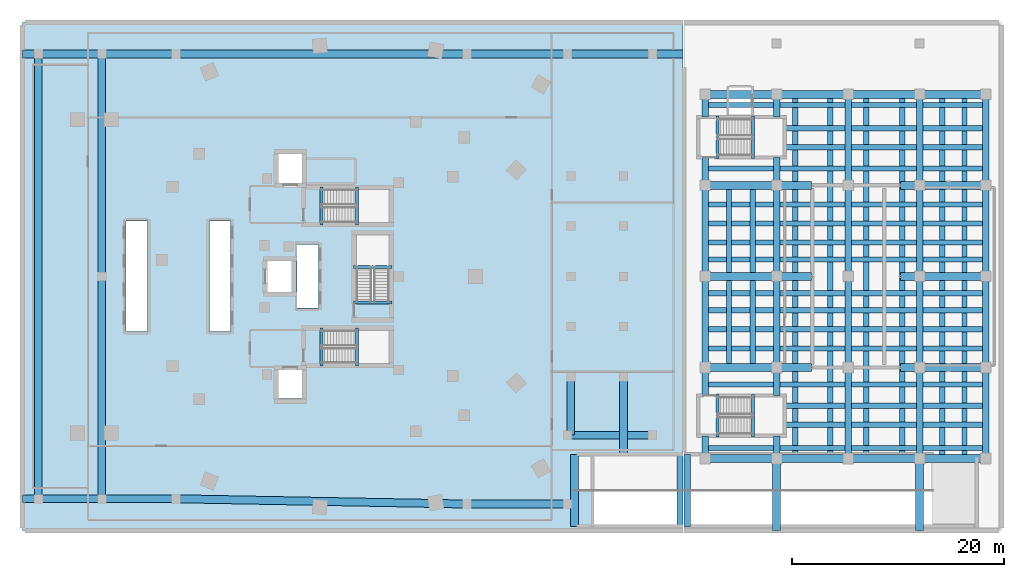
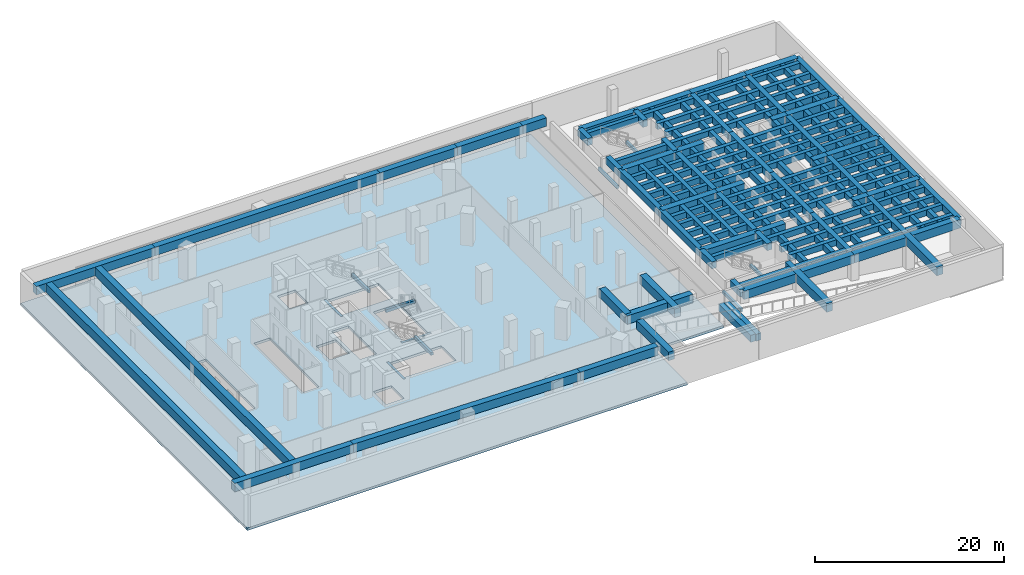
# One storey, part 5 of 13: 96 beams, 1 slab.
"""IFC4 building model written with IfcOpenShell, lengths in metres."""

import ifcopenshell
import ifcopenshell.guid

model = None  # the IFC model being written
_history = None  # IfcOwnerHistory: only IFC2X3 demands one
_inside = {}  # id of a spatial element -> (the spatial element, [elements in it])
_under = {}  # id of a project, library or spatial element -> (it, [spatial elements below it])
_declared = {}  # id of a project -> (the project, [libraries it declares])
_typed = {}  # id of a type object -> (the type object, [elements of that type])
_made_of = {}  # id of a material, layer set ... -> (it, [elements and type objects made of it])


def new_model(schema):
    """Start an empty IFC model of exactly this schema.

    Asked for "IFC4X3", IfcOpenShell would pick the latest addendum, in which some entities
    have other attributes; the version numbers below select the first issue.
    IFC2X3 requires an IfcOwnerHistory on every rooted entity: one is made here for all.
    """
    global model, _history
    if schema == "IFC4X3":
        model = ifcopenshell.file(schema_version=(4, 3, 0, 0))
    else:
        model = ifcopenshell.file(schema=schema)
    _inside.clear()
    _under.clear()
    _declared.clear()
    _typed.clear()
    _made_of.clear()
    _history = None
    if model.schema == "IFC2X3":
        org = make("IfcOrganization", Name="unknown")
        user = make(
            "IfcPersonAndOrganization",
            ThePerson=make("IfcPerson", FamilyName="unknown"),
            TheOrganization=org,
        )
        app = make(
            "IfcApplication",
            ApplicationDeveloper=org,
            Version="unknown",
            ApplicationFullName="unknown",
            ApplicationIdentifier="unknown",
        )
        _history = make(
            "IfcOwnerHistory",
            OwningUser=user,
            OwningApplication=app,
            ChangeAction="ADDED",
            CreationDate=0,
        )
    return model


def make(cls, **values):
    """One entity of the class cls with the attributes given. An attribute that is None is left unset."""
    return model.create_entity(
        cls, **{name: value for name, value in values.items() if value is not None}
    )


def rooted(cls, **values):
    """An entity with a GlobalId (a new one), such as an element, a storey or a relation."""
    return make(cls, GlobalId=ifcopenshell.guid.new(), OwnerHistory=_history, **values)


def si_unit(unit_type, name, prefix=None):
    """IfcSIUnit, for example si_unit("LENGTHUNIT", "METRE", prefix="MILLI")."""
    return make("IfcSIUnit", UnitType=unit_type, Prefix=prefix, Name=name)


def assignment(units):
    """IfcUnitAssignment: the units of a project."""
    return None if units is None else make("IfcUnitAssignment", Units=units)


def point(xyz):
    """IfcCartesianPoint."""
    return None if xyz is None else make("IfcCartesianPoint", Coordinates=xyz)


def direction(xyz):
    """IfcDirection."""
    return None if xyz is None else make("IfcDirection", DirectionRatios=xyz)


def frame(location, z_axis=None, x_axis=None):
    """IfcAxis2Placement3D, a coordinate frame: its origin and axes. An axis left out is left unset."""
    return make(
        "IfcAxis2Placement3D",
        Location=point(location),
        Axis=direction(z_axis),
        RefDirection=direction(x_axis),
    )


def frame_2d(location, x_axis=None):
    """IfcAxis2Placement2D, a coordinate frame in the plane: its origin and x axis."""
    return make(
        "IfcAxis2Placement2D", Location=point(location), RefDirection=direction(x_axis)
    )


def origin():
    """The frame at (0, 0, 0) with its axes left unset."""
    return frame((0.0, 0.0, 0.0))


def origin_2d():
    """The frame at (0, 0) in the plane with its x axis left unset."""
    return frame_2d((0.0, 0.0))


def place(relative_to, where):
    """IfcLocalPlacement: puts the frame where relative to a parent placement (None: the world)."""
    return make(
        "IfcLocalPlacement", PlacementRelTo=relative_to, RelativePlacement=where
    )


def context(
    kind, dimensions, precision=None, world=None, true_north=None, identifier=None
):
    """IfcGeometricRepresentationContext, for example the 3D "Model" context."""
    return make(
        "IfcGeometricRepresentationContext",
        ContextIdentifier=identifier,
        ContextType=kind,
        CoordinateSpaceDimension=dimensions,
        Precision=precision,
        WorldCoordinateSystem=world,
        TrueNorth=true_north,
    )


def subcontext(parent, identifier, kind, view, scale=None):
    """IfcGeometricRepresentationSubContext, for example "Body" below "Model"."""
    return make(
        "IfcGeometricRepresentationSubContext",
        ContextIdentifier=identifier,
        ContextType=kind,
        ParentContext=parent,
        TargetScale=scale,
        TargetView=view,
    )


def project(units=None, contexts=None):
    """IfcProject with its units and contexts."""
    return rooted(
        "IfcProject",
        Name="project",
        RepresentationContexts=contexts,
        UnitsInContext=assignment(units),
    )


def spatial(cls, under=None, at=None, **own):
    """A site, building, storey or space (cls), placed at a placement, below another one or the project."""
    s = rooted(cls, ObjectPlacement=at, **own)
    if under is not None:
        _under.setdefault(under.id(), (under, []))[1].append(s)
    return s


def polyline(points):
    """IfcPolyline through the points."""
    return make("IfcPolyline", Points=[point(p) for p in points])


def profile(cls, at=None, kind="AREA", **sizes):
    """A parametric profile (cls). Its sizes go by their IFC names, for example OverallWidth=200.0."""
    return make(cls, ProfileType=kind, Position=at, **sizes)


def rectangle(**sizes):
    """IfcRectangleProfileDef."""
    return profile("IfcRectangleProfileDef", **sizes)


def outline(outer, holes=None, kind="AREA"):
    """IfcArbitraryClosedProfileDef: a profile drawn as a closed curve; with holes, ...WithVoids."""
    if holes is None:
        return make("IfcArbitraryClosedProfileDef", ProfileType=kind, OuterCurve=outer)
    return make(
        "IfcArbitraryProfileDefWithVoids",
        ProfileType=kind,
        OuterCurve=outer,
        InnerCurves=holes,
    )


def extrude(swept, where, along, depth):
    """IfcExtrudedAreaSolid: the profile swept, set in the frame where, extruded along a direction by depth."""
    return make(
        "IfcExtrudedAreaSolid",
        SweptArea=swept,
        Position=where,
        ExtrudedDirection=direction(along),
        Depth=depth,
    )


def shape(context_of_items, identifier, shape_type, items):
    """IfcShapeRepresentation: the items that make up one representation, for example the "Body"."""
    return make(
        "IfcShapeRepresentation",
        ContextOfItems=context_of_items,
        RepresentationIdentifier=identifier,
        RepresentationType=shape_type,
        Items=items,
    )


def material(Name=None, Category=None):
    """IfcMaterial."""
    return make("IfcMaterial", Name=Name, Category=Category)


def layer(
    of_material, thickness, ventilated=None, Name=None, Category=None, Priority=None
):
    """IfcMaterialLayer: one layer of a wall or slab, of a material (None: an air gap)."""
    return make(
        "IfcMaterialLayer",
        Material=of_material,
        LayerThickness=thickness,
        IsVentilated=ventilated,
        Name=Name,
        Category=Category,
        Priority=Priority,
    )


def layer_set(layers, Name=None):
    """IfcMaterialLayerSet."""
    return make("IfcMaterialLayerSet", MaterialLayers=layers, LayerSetName=Name)


def material_profile(
    of_material, cross_section, Name=None, Category=None, Priority=None
):
    """IfcMaterialProfile: a cross section and its material."""
    return make(
        "IfcMaterialProfile",
        Name=Name,
        Material=of_material,
        Profile=cross_section,
        Priority=Priority,
        Category=Category,
    )


def profile_set(profiles, Name=None, composite=None):
    """IfcMaterialProfileSet."""
    return make(
        "IfcMaterialProfileSet",
        Name=Name,
        MaterialProfiles=profiles,
        CompositeProfile=composite,
    )


def made_of(thing, what):
    """Note that an element or type object is made of a material, layer set ...; save() writes the relation."""
    if what is not None:
        _made_of.setdefault(what.id(), (what, []))[1].append(thing)
    return thing


def type_object(cls, material=None, **own):
    """A type object (cls), such as IfcWallType, which elements share."""
    return made_of(rooted(cls, **own), material)


def element(
    cls,
    number,
    at=None,
    inside=None,
    cuts=None,
    type_object=None,
    material=None,
    context=None,
    identifier="Body",
    shape_type=None,
    held_by="IfcProductDefinitionShape",
    body=None,
    shapes=None,
    **own,
):
    """One element of the class cls, such as IfcWall. Its Tag is "e" and its number.

    at: its placement. inside: the storey or other place that contains it. cuts: it is an
    opening in that element (IfcRelVoidsElement). A single representation is given by context,
    identifier, shape_type and body (its items); several are given by shapes. held_by: the class
    of the entity that holds the representations. save() writes the other relations.
    """
    e = rooted(cls, Tag="e%d" % number, ObjectPlacement=at, **own)
    if body is not None:
        shapes = [shape(context, identifier, shape_type, body)]
    if shapes is not None:
        e.Representation = make(held_by, Representations=shapes)
    if inside is not None:
        _inside.setdefault(inside.id(), (inside, []))[1].append(e)
    if cuts is not None:
        rooted(
            "IfcRelVoidsElement", RelatingBuildingElement=cuts, RelatedOpeningElement=e
        )
    if type_object is not None:
        _typed.setdefault(type_object.id(), (type_object, []))[1].append(e)
    return made_of(e, material)


def aggregate(whole, parts):
    """IfcRelAggregates: a whole, such as a stair, and the parts it consists of."""
    return rooted("IfcRelAggregates", RelatingObject=whole, RelatedObjects=parts)


def save(model, path):
    """Write the relations noted so far, then the file.

    IfcRelAggregates (storeys below a building ...), IfcRelContainedInSpatialStructure (elements
    in a storey), IfcRelDefinesByType, IfcRelAssociatesMaterial and IfcRelDeclares: one each for
    every whole, place, type object, material and project.
    """
    for whole, parts in _under.values():
        aggregate(whole, parts)
    for where, things in _inside.values():
        rooted(
            "IfcRelContainedInSpatialStructure",
            RelatedElements=things,
            RelatingStructure=where,
        )
    for kind, things in _typed.values():
        rooted("IfcRelDefinesByType", RelatedObjects=things, RelatingType=kind)
    for what, things in _made_of.values():
        rooted("IfcRelAssociatesMaterial", RelatedObjects=things, RelatingMaterial=what)
    for by, libraries in _declared.values():
        rooted("IfcRelDeclares", RelatingContext=by, RelatedDefinitions=libraries)
    model.write(path)


model = new_model("IFC4")

# Units and contexts
model_context = context("Model", 3, precision=1e-05, world=origin(), true_north=direction((0.0, 1.0)))
body_context = subcontext(model_context, "Body", "Model", "MODEL_VIEW")
ifc_project = project(units=[si_unit("LENGTHUNIT", "METRE"), si_unit("AREAUNIT", "SQUARE_METRE"), si_unit("VOLUMEUNIT", "CUBIC_METRE"), si_unit("PLANEANGLEUNIT", "RADIAN"), si_unit("MASSUNIT", "GRAM", prefix="KILO")], contexts=[model_context])

# Site, building, storey
site_placement = place(None, origin())
site = spatial("IfcSite", under=ifc_project, at=site_placement, CompositionType="ELEMENT")
building_placement = place(site_placement, origin())
building = spatial("IfcBuilding", under=site, at=building_placement, Name="Korentha Bioscience Tower", CompositionType="ELEMENT")
storey_placement = place(building_placement, frame((0.0, 0.0, -4.5)))
storey = spatial("IfcBuildingStorey", under=building, at=storey_placement, Name="B1", CompositionType="ELEMENT", Elevation=-4.5)

# Beams
ifc_material_1 = material(Name="Concrete C65", Category="concrete")
ifc_material_profile_1 = material_profile(ifc_material_1, rectangle(XDim=0.75, YDim=1.10009765625, at=origin_2d()), Name="Concrete C65")
ifc_profile_set_1 = profile_set([ifc_material_profile_1], Name="Concrete C65 (BB-750)")
beam_type_1 = type_object("IfcBeamType", Name="Basement Frame Girder RC 750x1100", PredefinedType="BEAM", material=ifc_profile_set_1)
beam_1_placement = place(storey_placement, frame((54.14990234375, 3.39990234375, 3.820068359375), z_axis=(0.0, 1.0, 0.0), x_axis=(-1.0, 0.0, 0.0)))
element("IfcBeam", 1, at=beam_1_placement, inside=storey, type_object=beam_type_1, Name="B1 Ramp Top Arrival Support Girder", PredefinedType="BEAM", context=body_context, shape_type="SweptSolid", body=[
    extrude(rectangle(XDim=0.75, YDim=1.10009765625, at=origin_2d()), origin(), (0.0, 0.0, 1.0), 6.800048828125),
])
beam_2_placement = place(storey_placement, frame((2.0, 6.0, 3.632080078125), z_axis=(1.0, 0.0, 0.0), x_axis=(0.0, 1.0, 0.0)))
element("IfcBeam", 2, at=beam_2_placement, inside=storey, type_object=beam_type_1, Name="B1 Basement Girder BB-01", PredefinedType="BEAM", context=body_context, shape_type="SweptSolid", body=[
    extrude(rectangle(XDim=0.75, YDim=1.10009765625, at=origin_2d()), origin(), (0.0, 0.0, 1.0), 14.5),
])
beam_3_placement = place(storey_placement, frame((16.5, 6.0, 3.632080078125), z_axis=(0.999834751713, -0.018178813668, 0.0), x_axis=(0.018178813668, 0.999834751713, 0.0)))
element("IfcBeam", 3, at=beam_3_placement, inside=storey, type_object=beam_type_1, Name="B1 Basement Girder BB-02", PredefinedType="BEAM", context=body_context, shape_type="SweptSolid", body=[
    extrude(rectangle(XDim=0.75, YDim=1.10009765625, at=origin_2d()), origin(), (0.0, 0.0, 1.0), 27.504638671875),
])
beam_4_placement = place(storey_placement, frame((44.0, 5.5, 3.632080078125), z_axis=(1.0, 0.0, 0.0), x_axis=(0.0, 1.0, 0.0)))
element("IfcBeam", 4, at=beam_4_placement, inside=storey, type_object=beam_type_1, Name="B1 Basement Girder BB-03", PredefinedType="BEAM", context=body_context, shape_type="SweptSolid", body=[
    extrude(rectangle(XDim=0.75, YDim=1.10009765625, at=origin_2d()), origin(), (0.0, 0.0, 1.0), 9.5),
])
beam_5_placement = place(storey_placement, frame((2.0, 48.0, 3.632080078125), z_axis=(1.0, 0.0, 0.0), x_axis=(0.0, 1.0, 0.0)))
element("IfcBeam", 5, at=beam_5_placement, inside=storey, type_object=beam_type_1, Name="B1 Basement Girder BB-04", PredefinedType="BEAM", context=body_context, shape_type="SweptSolid", body=[
    extrude(rectangle(XDim=0.75, YDim=1.10009765625, at=origin_2d()), origin(), (0.0, 0.0, 1.0), 14.5),
])
beam_6_placement = place(storey_placement, frame((16.5, 48.0, 3.632080078125), z_axis=(1.0, 0.0, 0.0), x_axis=(0.0, 1.0, 0.0)))
element("IfcBeam", 6, at=beam_6_placement, inside=storey, type_object=beam_type_1, Name="B1 Basement Girder BB-05", PredefinedType="BEAM", context=body_context, shape_type="SweptSolid", body=[
    extrude(rectangle(XDim=0.75, YDim=1.10009765625, at=origin_2d()), origin(), (0.0, 0.0, 1.0), 27.5),
])
beam_7_placement = place(storey_placement, frame((44.0, 48.0, 3.632080078125), z_axis=(1.0, 0.0, 0.0), x_axis=(0.0, 1.0, 0.0)))
element("IfcBeam", 7, at=beam_7_placement, inside=storey, type_object=beam_type_1, Name="B1 Basement Girder BB-06", PredefinedType="BEAM", context=body_context, shape_type="SweptSolid", body=[
    extrude(rectangle(XDim=0.75, YDim=1.10009765625, at=origin_2d()), origin(), (0.0, 0.0, 1.0), 9.5),
])
beam_8_placement = place(storey_placement, frame((53.5, 48.0, 3.632080078125), z_axis=(1.0, 0.0, 0.0), x_axis=(0.0, 1.0, 0.0)))
element("IfcBeam", 8, at=beam_8_placement, inside=storey, type_object=beam_type_1, Name="B1 Basement Girder BB-07", PredefinedType="BEAM", context=body_context, shape_type="SweptSolid", body=[
    extrude(rectangle(XDim=0.75, YDim=1.10009765625, at=origin_2d()), origin(), (0.0, 0.0, 1.0), 8.0),
])
beam_9_placement = place(storey_placement, frame((61.5, 48.0, 3.632080078125), z_axis=(1.0, 0.0, 0.0), x_axis=(0.0, 1.0, 0.0)))
element("IfcBeam", 9, at=beam_9_placement, inside=storey, type_object=beam_type_1, Name="B1 Basement Girder BB-08", PredefinedType="BEAM", context=body_context, shape_type="SweptSolid", body=[
    extrude(rectangle(XDim=0.75, YDim=1.10009765625, at=origin_2d()), origin(), (0.0, 0.0, 1.0), 2.89990234375),
])
for number, where, z_axis, x_axis, name in (
    (10, (3.5, 6.0, 3.632080078125), (0.0, 1.0, 0.0), (-1.0, 0.0, 0.0), "B1 Basement Girder BB-09"),
    (11, (9.5, 6.0, 3.632080078125), (0.0, 1.0, 0.0), (-1.0, 0.0, 0.0), "B1 Basement Girder BB-10"),
):
    element("IfcBeam", number, at=place(storey_placement, frame(where, z_axis=z_axis, x_axis=x_axis)), inside=storey, type_object=beam_type_1, Name=name, PredefinedType="BEAM", context=body_context, shape_type="SweptSolid", body=[
        extrude(rectangle(XDim=0.75, YDim=1.10009765625, at=origin_2d()), origin(), (0.0, 0.0, 1.0), 42.0),
    ])
beam_10_placement = place(storey_placement, frame((53.5, 12.0, 3.632080078125), z_axis=(1.0, 0.0, 0.0), x_axis=(0.0, 1.0, 0.0)))
element("IfcBeam", 12, at=beam_10_placement, inside=storey, type_object=beam_type_1, Name="B1 Basement Girder BB-11", PredefinedType="BEAM", context=body_context, shape_type="SweptSolid", body=[
    extrude(rectangle(XDim=0.75, YDim=1.10009765625, at=origin_2d()), origin(), (0.0, 0.0, 1.0), 8.0),
])
beam_11_placement = place(storey_placement, frame((53.800048828125, 12.0, 3.632080078125), z_axis=(0.0, 1.0, 0.0), x_axis=(-1.0, 0.0, 0.0)))
element("IfcBeam", 13, at=beam_11_placement, inside=storey, type_object=beam_type_1, Name="B1 Basement Girder BB-12", PredefinedType="BEAM", context=body_context, shape_type="SweptSolid", body=[
    extrude(rectangle(XDim=0.75, YDim=1.10009765625, at=origin_2d()), origin(), (0.0, 0.0, 1.0), 5.5),
])
beam_12_placement = place(storey_placement, frame((58.800048828125, 10.199951171875, 3.632080078125), z_axis=(0.0, 1.0, 0.0), x_axis=(-1.0, 0.0, 0.0)))
element("IfcBeam", 14, at=beam_12_placement, inside=storey, type_object=beam_type_1, Name="B1 Basement Girder BB-13", PredefinedType="BEAM", context=body_context, shape_type="SweptSolid", body=[
    extrude(rectangle(XDim=0.75, YDim=1.10009765625, at=origin_2d()), origin(), (0.0, 0.0, 1.0), 7.300048828125),
])
for number, where, z_axis, x_axis, name in (
    (15, (73.25, 3.0, 3.632080078125), (0.0, 1.0, 0.0), (-1.0, 0.0, 0.0), "B1 Basement Girder BB-14"),
    (16, (86.75, 3.0, 3.632080078125), (0.0, 1.0, 0.0), (-1.0, 0.0, 0.0), "B1 Basement Girder BB-15"),
):
    element("IfcBeam", number, at=place(storey_placement, frame(where, z_axis=z_axis, x_axis=x_axis)), inside=storey, type_object=beam_type_1, Name=name, PredefinedType="BEAM", context=body_context, shape_type="SweptSolid", body=[
        extrude(rectangle(XDim=0.75, YDim=1.10009765625, at=origin_2d()), origin(), (0.0, 0.0, 1.0), 7.199951171875),
    ])
for number, where, z_axis, x_axis, name in (
    (17, (66.5, 9.800048828125, 3.6298828125), (1.0, 0.0, 0.0), (0.0, 1.0, 0.0), "B1 Theatre Basement Girder X-1-1"),
    (18, (66.5, 18.39990234375, 3.6298828125), (1.0, 0.0, 0.0), (0.0, 1.0, 0.0), "B1 Theatre Basement Girder X-1-2"),
    (19, (66.5, 27.0, 3.6298828125), (1.0, 0.0, 0.0), (0.0, 1.0, 0.0), "B1 Theatre Basement Girder X-1-3"),
    (20, (66.5, 35.60009765625, 3.6298828125), (1.0, 0.0, 0.0), (0.0, 1.0, 0.0), "B1 Theatre Basement Girder X-1-4"),
    (21, (66.5, 44.199951171875, 3.6298828125), (1.0, 0.0, 0.0), (0.0, 1.0, 0.0), "B1 Theatre Basement Girder X-1-5"),
    (22, (73.25, 9.800048828125, 3.6298828125), (1.0, 0.0, 0.0), (0.0, 1.0, 0.0), "B1 Theatre Basement Girder X-2-1"),
):
    element("IfcBeam", number, at=place(storey_placement, frame(where, z_axis=z_axis, x_axis=x_axis)), inside=storey, type_object=beam_type_1, Name=name, PredefinedType="BEAM", context=body_context, shape_type="SweptSolid", body=[
        extrude(rectangle(XDim=0.75, YDim=1.10009765625, at=origin_2d()), origin(), (0.0, 0.0, 1.0), 6.75),
    ])
for number, where, z_axis, x_axis, name in (
    (23, (73.25, 18.39990234375, 3.6298828125), (1.0, 0.0, 0.0), (0.0, 1.0, 0.0), "B1 Theatre Basement Girder X-2-2"),
    (24, (73.25, 27.0, 3.6298828125), (1.0, 0.0, 0.0), (0.0, 1.0, 0.0), "B1 Theatre Basement Girder X-2-3"),
    (25, (73.25, 35.60009765625, 3.6298828125), (1.0, 0.0, 0.0), (0.0, 1.0, 0.0), "B1 Theatre Basement Girder X-2-4"),
):
    element("IfcBeam", number, at=place(storey_placement, frame(where, z_axis=z_axis, x_axis=x_axis)), inside=storey, type_object=beam_type_1, Name=name, PredefinedType="BEAM", context=body_context, shape_type="SweptSolid", body=[
        extrude(rectangle(XDim=0.75, YDim=1.10009765625, at=origin_2d()), origin(), (0.0, 0.0, 1.0), 3.300048828125),
    ])
for number, where, z_axis, x_axis, name in (
    (26, (73.25, 44.199951171875, 3.6298828125), (1.0, 0.0, 0.0), (0.0, 1.0, 0.0), "B1 Theatre Basement Girder X-2-5"),
    (27, (80.0, 9.800048828125, 3.6298828125), (1.0, 0.0, 0.0), (0.0, 1.0, 0.0), "B1 Theatre Basement Girder X-3-1"),
):
    element("IfcBeam", number, at=place(storey_placement, frame(where, z_axis=z_axis, x_axis=x_axis)), inside=storey, type_object=beam_type_1, Name=name, PredefinedType="BEAM", context=body_context, shape_type="SweptSolid", body=[
        extrude(rectangle(XDim=0.75, YDim=1.10009765625, at=origin_2d()), origin(), (0.0, 0.0, 1.0), 6.75),
    ])
for number, where, z_axis, x_axis, name in (
    (28, (84.949951171875, 18.39990234375, 3.6298828125), (1.0, 0.0, 0.0), (0.0, 1.0, 0.0), "B1 Theatre Basement Girder X-3-2"),
    (29, (84.949951171875, 27.0, 3.6298828125), (1.0, 0.0, 0.0), (0.0, 1.0, 0.0), "B1 Theatre Basement Girder X-3-3"),
    (30, (84.949951171875, 35.60009765625, 3.6298828125), (1.0, 0.0, 0.0), (0.0, 1.0, 0.0), "B1 Theatre Basement Girder X-3-4"),
):
    element("IfcBeam", number, at=place(storey_placement, frame(where, z_axis=z_axis, x_axis=x_axis)), inside=storey, type_object=beam_type_1, Name=name, PredefinedType="BEAM", context=body_context, shape_type="SweptSolid", body=[
        extrude(rectangle(XDim=0.75, YDim=1.10009765625, at=origin_2d()), origin(), (0.0, 0.0, 1.0), 1.800048828125),
    ])
beam_13_placement = place(storey_placement, frame((80.0, 44.199951171875, 3.6298828125), z_axis=(1.0, 0.0, 0.0), x_axis=(0.0, 1.0, 0.0)))
element("IfcBeam", 31, at=beam_13_placement, inside=storey, type_object=beam_type_1, Name="B1 Theatre Basement Girder X-3-5", PredefinedType="BEAM", context=body_context, shape_type="SweptSolid", body=[
    extrude(rectangle(XDim=0.75, YDim=1.10009765625, at=origin_2d()), origin(), (0.0, 0.0, 1.0), 6.75),
])
for number, where, z_axis, x_axis, name in (
    (32, (86.75, 9.800048828125, 3.6298828125), (1.0, 0.0, 0.0), (0.0, 1.0, 0.0), "B1 Theatre Basement Girder X-4-1"),
    (33, (86.75, 18.39990234375, 3.6298828125), (1.0, 0.0, 0.0), (0.0, 1.0, 0.0), "B1 Theatre Basement Girder X-4-2"),
    (34, (86.75, 27.0, 3.6298828125), (1.0, 0.0, 0.0), (0.0, 1.0, 0.0), "B1 Theatre Basement Girder X-4-3"),
    (35, (86.75, 35.60009765625, 3.6298828125), (1.0, 0.0, 0.0), (0.0, 1.0, 0.0), "B1 Theatre Basement Girder X-4-4"),
    (36, (86.75, 44.199951171875, 3.6298828125), (1.0, 0.0, 0.0), (0.0, 1.0, 0.0), "B1 Theatre Basement Girder X-4-5"),
):
    element("IfcBeam", number, at=place(storey_placement, frame(where, z_axis=z_axis, x_axis=x_axis)), inside=storey, type_object=beam_type_1, Name=name, PredefinedType="BEAM", context=body_context, shape_type="SweptSolid", body=[
        extrude(rectangle(XDim=0.75, YDim=1.10009765625, at=origin_2d()), origin(), (0.0, 0.0, 1.0), 6.25),
    ])
ifc_material_2 = material(Name="Concrete C50", Category="concrete")
ifc_material_profile_2 = material_profile(ifc_material_2, rectangle(XDim=0.5, YDim=0.75, at=origin_2d()), Name="Concrete C50")
ifc_profile_set_2 = profile_set([ifc_material_profile_2], Name="Concrete C50 (BB-500)")
beam_type_2 = type_object("IfcBeamType", Name="Basement Secondary Rib RC 500x750", PredefinedType="BEAM", material=ifc_profile_set_2)
beam_14_placement = place(storey_placement, frame((66.5, 10.800048828125, 3.804931640625), z_axis=(1.0, 0.0, 0.0), x_axis=(0.0, 1.0, 0.0)))
element("IfcBeam", 37, at=beam_14_placement, inside=storey, type_object=beam_type_2, Name="B1 Theatre Substructure Rib 01", PredefinedType="BEAM", context=body_context, shape_type="SweptSolid", body=[
    extrude(rectangle(XDim=0.5, YDim=0.75, at=origin_2d()), origin(), (0.0, 0.0, 1.0), 26.5),
])
for number, where, z_axis, x_axis, name in (
    (38, (74.010009765625, 13.0, 3.804931640625), (1.0, 0.0, 0.0), (0.0, 1.0, 0.0), "B1 Theatre Substructure Rib 02"),
    (39, (74.010009765625, 14.800048828125, 3.804931640625), (1.0, 0.0, 0.0), (0.0, 1.0, 0.0), "B1 Theatre Substructure Rib 03"),
):
    element("IfcBeam", number, at=place(storey_placement, frame(where, z_axis=z_axis, x_axis=x_axis)), inside=storey, type_object=beam_type_2, Name=name, PredefinedType="BEAM", context=body_context, shape_type="SweptSolid", body=[
        extrude(rectangle(XDim=0.5, YDim=0.75, at=origin_2d()), origin(), (0.0, 0.0, 1.0), 18.989990234375),
    ])
for number, where, z_axis, x_axis, name in (
    (40, (66.5, 16.800048828125, 3.804931640625), (1.0, 0.0, 0.0), (0.0, 1.0, 0.0), "B1 Theatre Substructure Rib 04"),
    (41, (66.5, 20.199951171875, 3.804931640625), (1.0, 0.0, 0.0), (0.0, 1.0, 0.0), "B1 Theatre Substructure Rib 05"),
    (42, (66.5, 22.0, 3.804931640625), (1.0, 0.0, 0.0), (0.0, 1.0, 0.0), "B1 Theatre Substructure Rib 06"),
    (43, (66.5, 23.800048828125, 3.804931640625), (1.0, 0.0, 0.0), (0.0, 1.0, 0.0), "B1 Theatre Substructure Rib 07"),
    (44, (66.5, 25.39990234375, 3.804931640625), (1.0, 0.0, 0.0), (0.0, 1.0, 0.0), "B1 Theatre Substructure Rib 08"),
    (45, (66.5, 28.60009765625, 3.804931640625), (1.0, 0.0, 0.0), (0.0, 1.0, 0.0), "B1 Theatre Substructure Rib 09"),
    (46, (66.5, 30.199951171875, 3.804931640625), (1.0, 0.0, 0.0), (0.0, 1.0, 0.0), "B1 Theatre Substructure Rib 10"),
    (47, (66.5, 32.0, 3.804931640625), (1.0, 0.0, 0.0), (0.0, 1.0, 0.0), "B1 Theatre Substructure Rib 11"),
    (48, (66.5, 33.800048828125, 3.804931640625), (1.0, 0.0, 0.0), (0.0, 1.0, 0.0), "B1 Theatre Substructure Rib 12"),
    (49, (66.5, 37.199951171875, 3.804931640625), (1.0, 0.0, 0.0), (0.0, 1.0, 0.0), "B1 Theatre Substructure Rib 13"),
):
    element("IfcBeam", number, at=place(storey_placement, frame(where, z_axis=z_axis, x_axis=x_axis)), inside=storey, type_object=beam_type_2, Name=name, PredefinedType="BEAM", context=body_context, shape_type="SweptSolid", body=[
        extrude(rectangle(XDim=0.5, YDim=0.75, at=origin_2d()), origin(), (0.0, 0.0, 1.0), 26.5),
    ])
for number, where, z_axis, x_axis, name in (
    (50, (74.010009765625, 39.199951171875, 3.804931640625), (1.0, 0.0, 0.0), (0.0, 1.0, 0.0), "B1 Theatre Substructure Rib 14"),
    (51, (74.010009765625, 41.0, 3.804931640625), (1.0, 0.0, 0.0), (0.0, 1.0, 0.0), "B1 Theatre Substructure Rib 15"),
):
    element("IfcBeam", number, at=place(storey_placement, frame(where, z_axis=z_axis, x_axis=x_axis)), inside=storey, type_object=beam_type_2, Name=name, PredefinedType="BEAM", context=body_context, shape_type="SweptSolid", body=[
        extrude(rectangle(XDim=0.5, YDim=0.75, at=origin_2d()), origin(), (0.0, 0.0, 1.0), 18.989990234375),
    ])
beam_15_placement = place(storey_placement, frame((66.5, 43.199951171875, 3.804931640625), z_axis=(1.0, 0.0, 0.0), x_axis=(0.0, 1.0, 0.0)))
element("IfcBeam", 52, at=beam_15_placement, inside=storey, type_object=beam_type_2, Name="B1 Theatre Substructure Rib 16", PredefinedType="BEAM", context=body_context, shape_type="SweptSolid", body=[
    extrude(rectangle(XDim=0.5, YDim=0.75, at=origin_2d()), origin(), (0.0, 0.0, 1.0), 26.5),
])
for number, where, z_axis, x_axis, name in (
    (53, (68.75, 18.39990234375, 3.804931640625), (0.0, 1.0, 0.0), (-1.0, 0.0, 0.0), "B1 Theatre Substructure Longitudinal Rib 01"),
    (54, (71.0, 18.39990234375, 3.804931640625), (0.0, 1.0, 0.0), (-1.0, 0.0, 0.0), "B1 Theatre Substructure Longitudinal Rib 02"),
):
    element("IfcBeam", number, at=place(storey_placement, frame(where, z_axis=z_axis, x_axis=x_axis)), inside=storey, type_object=beam_type_2, Name=name, PredefinedType="BEAM", context=body_context, shape_type="SweptSolid", body=[
        extrude(rectangle(XDim=0.5, YDim=0.75, at=origin_2d()), origin(), (0.0, 0.0, 1.0), 17.2001953125),
    ])
for number, where, z_axis, x_axis, name in (
    (55, (75.0, 9.800048828125, 3.804931640625), (0.0, 1.0, 0.0), (-1.0, 0.0, 0.0), "B1 Theatre Substructure Longitudinal Rib 03"),
    (56, (78.300048828125, 9.800048828125, 3.804931640625), (0.0, 1.0, 0.0), (-1.0, 0.0, 0.0), "B1 Theatre Substructure Longitudinal Rib 04"),
    (57, (81.699951171875, 9.800048828125, 3.804931640625), (0.0, 1.0, 0.0), (-1.0, 0.0, 0.0), "B1 Theatre Substructure Longitudinal Rib 05"),
    (58, (85.10009765625, 9.800048828125, 3.804931640625), (0.0, 1.0, 0.0), (-1.0, 0.0, 0.0), "B1 Theatre Substructure Longitudinal Rib 06"),
    (59, (88.89990234375, 9.800048828125, 3.804931640625), (0.0, 1.0, 0.0), (-1.0, 0.0, 0.0), "B1 Theatre Substructure Longitudinal Rib 07"),
    (60, (91.0, 9.800048828125, 3.804931640625), (0.0, 1.0, 0.0), (-1.0, 0.0, 0.0), "B1 Theatre Substructure Longitudinal Rib 08"),
):
    element("IfcBeam", number, at=place(storey_placement, frame(where, z_axis=z_axis, x_axis=x_axis)), inside=storey, type_object=beam_type_2, Name=name, PredefinedType="BEAM", context=body_context, shape_type="SweptSolid", body=[
        extrude(rectangle(XDim=0.5, YDim=0.75, at=origin_2d()), origin(), (0.0, 0.0, 1.0), 34.39990234375),
    ])
ifc_material_profile_3 = material_profile(ifc_material_2, rectangle(XDim=0.60009765625, YDim=0.89990234375, at=origin_2d()), Name="Concrete C50")
ifc_profile_set_3 = profile_set([ifc_material_profile_3], Name="Concrete C50 (BB-600)")
beam_type_3 = type_object("IfcBeamType", Name="Basement Tie Beam RC 600x900", PredefinedType="BEAM", material=ifc_profile_set_3)
for number, where, z_axis, x_axis, name in (
    (61, (64.800048828125, 3.39990234375, 2.47998046875), (0.0, 1.0, 0.0), (-1.0, 0.0, 0.0), "B1 Ramp Joint East Support Beam"),
    (62, (64.1201171875, 3.39990234375, 2.570068359375), (0.0, 1.0, 0.0), (-1.0, 0.0, 0.0), "B1 Ramp Joint West Support Beam"),
):
    element("IfcBeam", number, at=place(storey_placement, frame(where, z_axis=z_axis, x_axis=x_axis)), inside=storey, type_object=beam_type_3, Name=name, PredefinedType="BEAM", context=body_context, shape_type="SweptSolid", body=[
        extrude(rectangle(XDim=0.60009765625, YDim=0.89990234375, at=origin_2d()), origin(), (0.0, 0.0, 1.0), 6.800048828125),
    ])
beam_16_placement = place(storey_placement, frame((66.5, 9.800048828125, 3.72998046875), z_axis=(0.0, 1.0, 0.0), x_axis=(-1.0, 0.0, 0.0)))
element("IfcBeam", 63, at=beam_16_placement, inside=storey, type_object=beam_type_3, Name="B1 Theatre Basement Tie Beam Y-1-1A", PredefinedType="BEAM", context=body_context, shape_type="SweptSolid", body=[
    extrude(rectangle(XDim=0.60009765625, YDim=0.89990234375, at=origin_2d()), origin(), (0.0, 0.0, 1.0), 2.139892578125),
])
beam_17_placement = place(storey_placement, frame((66.5, 15.760009765625, 3.72998046875), z_axis=(0.0, 1.0, 0.0), x_axis=(-1.0, 0.0, 0.0)))
element("IfcBeam", 64, at=beam_17_placement, inside=storey, type_object=beam_type_3, Name="B1 Theatre Basement Tie Beam Y-1-1B", PredefinedType="BEAM", context=body_context, shape_type="SweptSolid", body=[
    extrude(rectangle(XDim=0.60009765625, YDim=0.89990234375, at=origin_2d()), origin(), (0.0, 0.0, 1.0), 2.639892578125),
])
for number, where, z_axis, x_axis, name in (
    (65, (66.5, 18.39990234375, 3.72998046875), (0.0, 1.0, 0.0), (-1.0, 0.0, 0.0), "B1 Theatre Basement Tie Beam Y-1-2"),
    (66, (66.5, 27.0, 3.72998046875), (0.0, 1.0, 0.0), (-1.0, 0.0, 0.0), "B1 Theatre Basement Tie Beam Y-1-3"),
):
    element("IfcBeam", number, at=place(storey_placement, frame(where, z_axis=z_axis, x_axis=x_axis)), inside=storey, type_object=beam_type_3, Name=name, PredefinedType="BEAM", context=body_context, shape_type="SweptSolid", body=[
        extrude(rectangle(XDim=0.60009765625, YDim=0.89990234375, at=origin_2d()), origin(), (0.0, 0.0, 1.0), 8.60009765625),
    ])
beam_18_placement = place(storey_placement, frame((66.5, 35.60009765625, 3.72998046875), z_axis=(0.0, 1.0, 0.0), x_axis=(-1.0, 0.0, 0.0)))
element("IfcBeam", 67, at=beam_18_placement, inside=storey, type_object=beam_type_3, Name="B1 Theatre Basement Tie Beam Y-1-4A", PredefinedType="BEAM", context=body_context, shape_type="SweptSolid", body=[
    extrude(rectangle(XDim=0.60009765625, YDim=0.89990234375, at=origin_2d()), origin(), (0.0, 0.0, 1.0), 2.639892578125),
])
for number, where, z_axis, x_axis, name in (
    (68, (66.5, 42.06005859375, 3.72998046875), (0.0, 1.0, 0.0), (-1.0, 0.0, 0.0), "B1 Theatre Basement Tie Beam Y-1-4B"),
    (69, (73.25, 9.800048828125, 3.72998046875), (0.0, 1.0, 0.0), (-1.0, 0.0, 0.0), "B1 Theatre Basement Tie Beam Y-2-1A"),
):
    element("IfcBeam", number, at=place(storey_placement, frame(where, z_axis=z_axis, x_axis=x_axis)), inside=storey, type_object=beam_type_3, Name=name, PredefinedType="BEAM", context=body_context, shape_type="SweptSolid", body=[
        extrude(rectangle(XDim=0.60009765625, YDim=0.89990234375, at=origin_2d()), origin(), (0.0, 0.0, 1.0), 2.139892578125),
    ])
beam_19_placement = place(storey_placement, frame((73.25, 15.760009765625, 3.72998046875), z_axis=(0.0, 1.0, 0.0), x_axis=(-1.0, 0.0, 0.0)))
element("IfcBeam", 70, at=beam_19_placement, inside=storey, type_object=beam_type_3, Name="B1 Theatre Basement Tie Beam Y-2-1B", PredefinedType="BEAM", context=body_context, shape_type="SweptSolid", body=[
    extrude(rectangle(XDim=0.60009765625, YDim=0.89990234375, at=origin_2d()), origin(), (0.0, 0.0, 1.0), 2.639892578125),
])
for number, where, z_axis, x_axis, name in (
    (71, (73.25, 18.39990234375, 3.72998046875), (0.0, 1.0, 0.0), (-1.0, 0.0, 0.0), "B1 Theatre Basement Tie Beam Y-2-2"),
    (72, (73.25, 27.0, 3.72998046875), (0.0, 1.0, 0.0), (-1.0, 0.0, 0.0), "B1 Theatre Basement Tie Beam Y-2-3"),
):
    element("IfcBeam", number, at=place(storey_placement, frame(where, z_axis=z_axis, x_axis=x_axis)), inside=storey, type_object=beam_type_3, Name=name, PredefinedType="BEAM", context=body_context, shape_type="SweptSolid", body=[
        extrude(rectangle(XDim=0.60009765625, YDim=0.89990234375, at=origin_2d()), origin(), (0.0, 0.0, 1.0), 8.60009765625),
    ])
beam_20_placement = place(storey_placement, frame((73.25, 35.60009765625, 3.72998046875), z_axis=(0.0, 1.0, 0.0), x_axis=(-1.0, 0.0, 0.0)))
element("IfcBeam", 73, at=beam_20_placement, inside=storey, type_object=beam_type_3, Name="B1 Theatre Basement Tie Beam Y-2-4A", PredefinedType="BEAM", context=body_context, shape_type="SweptSolid", body=[
    extrude(rectangle(XDim=0.60009765625, YDim=0.89990234375, at=origin_2d()), origin(), (0.0, 0.0, 1.0), 2.639892578125),
])
beam_21_placement = place(storey_placement, frame((73.25, 42.06005859375, 3.72998046875), z_axis=(0.0, 1.0, 0.0), x_axis=(-1.0, 0.0, 0.0)))
element("IfcBeam", 74, at=beam_21_placement, inside=storey, type_object=beam_type_3, Name="B1 Theatre Basement Tie Beam Y-2-4B", PredefinedType="BEAM", context=body_context, shape_type="SweptSolid", body=[
    extrude(rectangle(XDim=0.60009765625, YDim=0.89990234375, at=origin_2d()), origin(), (0.0, 0.0, 1.0), 2.139892578125),
])
beam_22_placement = place(storey_placement, frame((80.0, 9.800048828125, 3.72998046875), z_axis=(0.0, 1.0, 0.0), x_axis=(-1.0, 0.0, 0.0)))
element("IfcBeam", 75, at=beam_22_placement, inside=storey, type_object=beam_type_3, Name="B1 Theatre Basement Tie Beam Y-3-1", PredefinedType="BEAM", context=body_context, shape_type="SweptSolid", body=[
    extrude(rectangle(XDim=0.60009765625, YDim=0.89990234375, at=origin_2d()), origin(), (0.0, 0.0, 1.0), 8.599853515625),
])
for number, where, z_axis, x_axis, name in (
    (76, (80.0, 18.39990234375, 3.72998046875), (0.0, 1.0, 0.0), (-1.0, 0.0, 0.0), "B1 Theatre Basement Tie Beam Y-3-2"),
    (77, (80.0, 27.0, 3.72998046875), (0.0, 1.0, 0.0), (-1.0, 0.0, 0.0), "B1 Theatre Basement Tie Beam Y-3-3"),
):
    element("IfcBeam", number, at=place(storey_placement, frame(where, z_axis=z_axis, x_axis=x_axis)), inside=storey, type_object=beam_type_3, Name=name, PredefinedType="BEAM", context=body_context, shape_type="SweptSolid", body=[
        extrude(rectangle(XDim=0.60009765625, YDim=0.89990234375, at=origin_2d()), origin(), (0.0, 0.0, 1.0), 8.60009765625),
    ])
for number, where, z_axis, x_axis, name in (
    (78, (80.0, 35.60009765625, 3.72998046875), (0.0, 1.0, 0.0), (-1.0, 0.0, 0.0), "B1 Theatre Basement Tie Beam Y-3-4"),
    (79, (86.75, 9.800048828125, 3.72998046875), (0.0, 1.0, 0.0), (-1.0, 0.0, 0.0), "B1 Theatre Basement Tie Beam Y-4-1"),
):
    element("IfcBeam", number, at=place(storey_placement, frame(where, z_axis=z_axis, x_axis=x_axis)), inside=storey, type_object=beam_type_3, Name=name, PredefinedType="BEAM", context=body_context, shape_type="SweptSolid", body=[
        extrude(rectangle(XDim=0.60009765625, YDim=0.89990234375, at=origin_2d()), origin(), (0.0, 0.0, 1.0), 8.599853515625),
    ])
for number, where, z_axis, x_axis, name in (
    (80, (86.75, 18.39990234375, 3.72998046875), (0.0, 1.0, 0.0), (-1.0, 0.0, 0.0), "B1 Theatre Basement Tie Beam Y-4-2"),
    (81, (86.75, 27.0, 3.72998046875), (0.0, 1.0, 0.0), (-1.0, 0.0, 0.0), "B1 Theatre Basement Tie Beam Y-4-3"),
):
    element("IfcBeam", number, at=place(storey_placement, frame(where, z_axis=z_axis, x_axis=x_axis)), inside=storey, type_object=beam_type_3, Name=name, PredefinedType="BEAM", context=body_context, shape_type="SweptSolid", body=[
        extrude(rectangle(XDim=0.60009765625, YDim=0.89990234375, at=origin_2d()), origin(), (0.0, 0.0, 1.0), 8.60009765625),
    ])
for number, where, z_axis, x_axis, name in (
    (82, (86.75, 35.60009765625, 3.72998046875), (0.0, 1.0, 0.0), (-1.0, 0.0, 0.0), "B1 Theatre Basement Tie Beam Y-4-4"),
    (83, (93.0, 9.800048828125, 3.72998046875), (0.0, 1.0, 0.0), (-1.0, 0.0, 0.0), "B1 Theatre Basement Tie Beam Y-5-1"),
):
    element("IfcBeam", number, at=place(storey_placement, frame(where, z_axis=z_axis, x_axis=x_axis)), inside=storey, type_object=beam_type_3, Name=name, PredefinedType="BEAM", context=body_context, shape_type="SweptSolid", body=[
        extrude(rectangle(XDim=0.60009765625, YDim=0.89990234375, at=origin_2d()), origin(), (0.0, 0.0, 1.0), 8.599853515625),
    ])
for number, where, z_axis, x_axis, name in (
    (84, (93.0, 18.39990234375, 3.72998046875), (0.0, 1.0, 0.0), (-1.0, 0.0, 0.0), "B1 Theatre Basement Tie Beam Y-5-2"),
    (85, (93.0, 27.0, 3.72998046875), (0.0, 1.0, 0.0), (-1.0, 0.0, 0.0), "B1 Theatre Basement Tie Beam Y-5-3"),
):
    element("IfcBeam", number, at=place(storey_placement, frame(where, z_axis=z_axis, x_axis=x_axis)), inside=storey, type_object=beam_type_3, Name=name, PredefinedType="BEAM", context=body_context, shape_type="SweptSolid", body=[
        extrude(rectangle(XDim=0.60009765625, YDim=0.89990234375, at=origin_2d()), origin(), (0.0, 0.0, 1.0), 8.60009765625),
    ])
beam_23_placement = place(storey_placement, frame((93.0, 35.60009765625, 3.72998046875), z_axis=(0.0, 1.0, 0.0), x_axis=(-1.0, 0.0, 0.0)))
element("IfcBeam", 86, at=beam_23_placement, inside=storey, type_object=beam_type_3, Name="B1 Theatre Basement Tie Beam Y-5-4", PredefinedType="BEAM", context=body_context, shape_type="SweptSolid", body=[
    extrude(rectangle(XDim=0.60009765625, YDim=0.89990234375, at=origin_2d()), origin(), (0.0, 0.0, 1.0), 8.599853515625),
])
ifc_material_profile_4 = material_profile(ifc_material_2, rectangle(XDim=0.280029296875, YDim=0.3798828125, at=origin_2d()), Name="Concrete C50")
ifc_profile_set_4 = profile_set([ifc_material_profile_4], Name="Concrete C50 (ST-HB380)")
beam_type_4 = type_object("IfcBeamType", Name="Concrete Stair Header Beam RC 280x380", PredefinedType="BEAM", material=ifc_profile_set_4)
for number, where, z_axis, x_axis, name in (
    (87, (30.25, 31.85009765625, -0.18994140625), (0.0, 1.0, 0.0), (-1.0, 0.0, 0.0), "B1 ST-1 Concrete Stair Header Beam"),
    (88, (33.610107421875, 31.85009765625, 2.06005859375), (0.0, 1.0, 0.0), (-1.0, 0.0, 0.0), "B1 ST-1 Half-Landing Header Beam 1"),
    (89, (30.25, 18.550048828125, -0.18994140625), (0.0, 1.0, 0.0), (-1.0, 0.0, 0.0), "B1 ST-2 Concrete Stair Header Beam"),
    (90, (33.610107421875, 18.550048828125, 2.06005859375), (0.0, 1.0, 0.0), (-1.0, 0.0, 0.0), "B1 ST-2 Half-Landing Header Beam 1"),
    (91, (36.89990234375, 24.550048828125, -0.18994140625), (-1.0, 0.0, 0.0), (0.0, -1.0, 0.0), "B1 ST-3 Concrete Stair Header Beam"),
    (92, (36.89990234375, 27.909912109375, 2.06005859375), (-1.0, 0.0, 0.0), (0.0, -1.0, 0.0), "B1 ST-3 Half-Landing Header Beam 1"),
):
    element("IfcBeam", number, at=place(storey_placement, frame(where, z_axis=z_axis, x_axis=x_axis)), inside=storey, type_object=beam_type_4, Name=name, PredefinedType="BEAM", context=body_context, shape_type="SweptSolid", body=[
        extrude(rectangle(XDim=0.280029296875, YDim=0.3798828125, at=origin_2d()), origin(), (0.0, 0.0, 1.0), 3.599853515625),
    ])
for number, where, z_axis, x_axis, name in (
    (93, (67.64990234375, 11.85009765625, -0.18994140625), (0.0, 1.0, 0.0), (-1.0, 0.0, 0.0), "B1 ST-T1 Concrete Stair Header Beam"),
    (94, (71.010009765625, 11.85009765625, 2.06005859375), (0.0, 1.0, 0.0), (-1.0, 0.0, 0.0), "B1 ST-T1 Half-Landing Header Beam 1"),
    (95, (67.64990234375, 38.14990234375, -0.18994140625), (0.0, 1.0, 0.0), (-1.0, 0.0, 0.0), "B1 ST-T2 Concrete Stair Header Beam"),
    (96, (71.010009765625, 38.14990234375, 2.06005859375), (0.0, 1.0, 0.0), (-1.0, 0.0, 0.0), "B1 ST-T2 Half-Landing Header Beam 1"),
):
    element("IfcBeam", number, at=place(storey_placement, frame(where, z_axis=z_axis, x_axis=x_axis)), inside=storey, type_object=beam_type_4, Name=name, PredefinedType="BEAM", context=body_context, shape_type="SweptSolid", body=[
        extrude(rectangle(XDim=0.280029296875, YDim=0.3798828125, at=origin_2d()), origin(), (0.0, 0.0, 1.0), 4.0),
    ])

# Slab
ifc_layer = layer(ifc_material_2, 0.320068359375, Name="Concrete C50")
ifc_layer_set = layer_set([ifc_layer], Name="Concrete C50 (SL-B1)")
slab_type = type_object("IfcSlabType", Name="Basement Car Park Slab 320", PredefinedType="FLOOR", material=ifc_layer_set)
slab_placement = place(storey_placement, frame((0.0, 0.0, -0.320068359375)))
element("IfcSlab", 97, at=slab_placement, inside=storey, type_object=slab_type, Name="B1 Tower Loop Car Park Structural Slab", PredefinedType="FLOOR", context=body_context, shape_type="SweptSolid", body=[
    extrude(outline(polyline([(2.0, 3.0), (55.85009765625, 3.0), (55.85009765625, 10.199951171875), (64.419921875, 10.199951171875), (64.419921875, 51.0), (2.0, 51.0), (2.0, 3.0)]), holes=[polyline([(30.25, 32.10009765625), (36.64990234375, 32.10009765625), (36.64990234375, 35.199951171875), (30.25, 35.199951171875), (30.25, 32.10009765625)]), polyline([(30.25, 18.800048828125), (36.64990234375, 18.800048828125), (36.64990234375, 21.89990234375), (30.25, 21.89990234375), (30.25, 18.800048828125)]), polyline([(36.64990234375, 24.550048828125), (36.64990234375, 30.89990234375), (33.550048828125, 30.89990234375), (33.550048828125, 24.550048828125), (36.64990234375, 24.550048828125)]), polyline([(11.780029296875, 21.780029296875), (13.820068359375, 21.780029296875), (13.820068359375, 32.219970703125), (11.780029296875, 32.219970703125), (11.780029296875, 21.780029296875)]), polyline([(19.679931640625, 21.780029296875), (21.669921875, 21.780029296875), (21.669921875, 32.219970703125), (19.679931640625, 32.219970703125), (19.679931640625, 21.780029296875)]), polyline([(27.929931640625, 24.030029296875), (29.969970703125, 24.030029296875), (29.969970703125, 30.02001953125), (27.929931640625, 30.02001953125), (27.929931640625, 24.030029296875)]), polyline([(26.199951171875, 15.449951171875), (28.39990234375, 15.449951171875), (28.39990234375, 18.14990234375), (26.199951171875, 18.14990234375), (26.199951171875, 15.449951171875)]), polyline([(26.199951171875, 35.85009765625), (28.39990234375, 35.85009765625), (28.39990234375, 38.550048828125), (26.199951171875, 38.550048828125), (26.199951171875, 35.85009765625)]), polyline([(25.14990234375, 25.550048828125), (27.550048828125, 25.550048828125), (27.550048828125, 28.449951171875), (25.14990234375, 28.449951171875), (25.14990234375, 25.550048828125)])]), origin(), (0.0, 0.0, 1.0), 0.320068359375),
])

save(model, "model.ifc")
